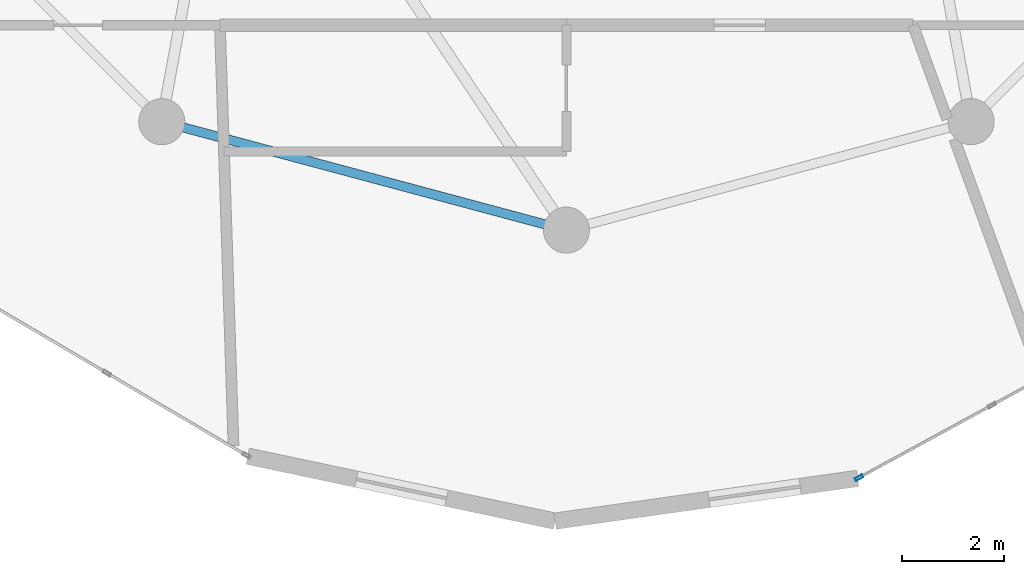
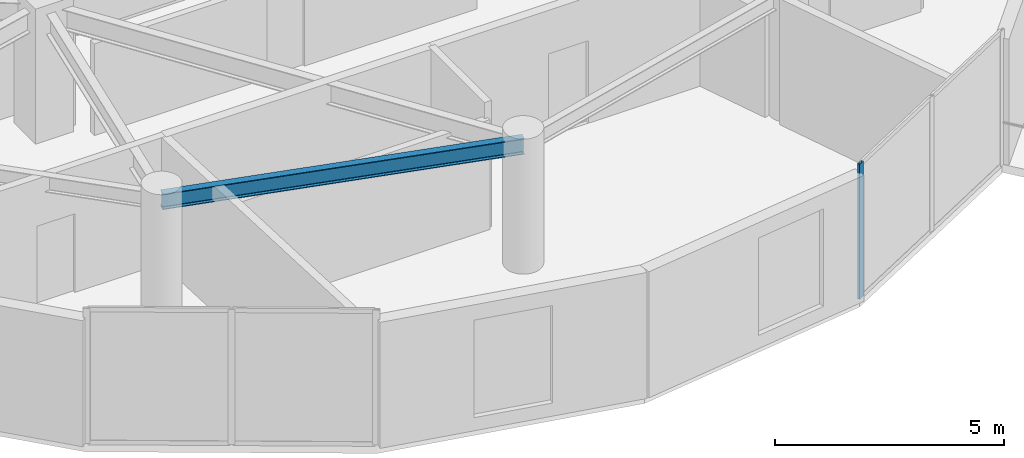
# One storey, part 4 of 21: 1 beam, 1 member, 1 element without a shape of its own.
"""IFC4 building model written with IfcOpenShell, lengths in metres."""

from ifc_helpers import new_model, si_unit, direction, frame, origin, origin_2d, place, context, subcontext, project, spatial, hollow_rectangle, i_section, extrude, source, transform, mapped, material, layer, layer_set, material_profile, profile_set, type_object, element, aggregate, save


model = new_model("IFC4")

# Units and contexts
model_context = context("Model", 3, precision=1e-05, world=origin(), true_north=direction((0.0, 1.0)))
body_context = subcontext(model_context, "Body", "Model", "MODEL_VIEW")
ifc_project = project(units=[si_unit("LENGTHUNIT", "METRE"), si_unit("AREAUNIT", "SQUARE_METRE"), si_unit("VOLUMEUNIT", "CUBIC_METRE"), si_unit("PLANEANGLEUNIT", "RADIAN"), si_unit("MASSUNIT", "GRAM", prefix="KILO")], contexts=[model_context])

# Site, building, storey
site_placement = place(None, origin())
site = spatial("IfcSite", under=ifc_project, at=site_placement, CompositionType="ELEMENT")
building_placement = place(site_placement, origin())
building = spatial("IfcBuilding", under=site, at=building_placement, Name="Solvirekh Grand Hotel", CompositionType="ELEMENT")
storey_placement = place(building_placement, frame((0.0, 0.0, 223.60009765625)))
storey = spatial("IfcBuildingStorey", under=building, at=storey_placement, Name="L58", CompositionType="ELEMENT", Elevation=223.60009765625)

# Beam
ifc_material_1 = material(Name="Steel S355", Category="steel")
ifc_material_profile_1 = material_profile(ifc_material_1, i_section(OverallWidth=0.180908203125, OverallDepth=0.4169921875, WebThickness=0.010009765625, FlangeThickness=0.01611328125, FilletRadius=0.011962890625, at=origin_2d()), Name="W410X85")
ifc_profile_set_1 = profile_set([ifc_material_profile_1], Name="Steel S355")
beam_type = type_object("IfcBeamType", Name="Spandrel_Ring_W410", PredefinedType="SPANDREL", material=ifc_profile_set_1)
beam_placement = place(storey_placement, frame((-7.89990234375, -13.68310546875, 3.15185546875), z_axis=(0.965920601923, -0.258838541915, 0.0), x_axis=(0.258838541915, 0.965920601923, 0.0)))
element("IfcBeam", 1, at=beam_placement, inside=storey, type_object=beam_type, Name="L58 perimeter spandrel beam 9", PredefinedType="SPANDREL", context=body_context, shape_type="SweptSolid", body=[
    extrude(i_section(OverallWidth=0.180908203125, OverallDepth=0.4169921875, WebThickness=0.010009765625, FlangeThickness=0.01611328125, FilletRadius=0.011962890625, at=origin_2d()), origin(), (0.0, 0.0, 1.0), 8.1787109375),
])

# Curtain wall, member
ifc_material_2 = material(Name="Anodized Bronze Aluminium 6063-T6", Category="aluminium")
ifc_layer = layer(ifc_material_2, 0.159912109375)
ifc_layer_set = layer_set([ifc_layer], Name="Anodized Bronze Aluminium 6063-T6")
curtain_wall_type = type_object("IfcCurtainWallType", Name="CW_Sys4_HighZoneFlushBronzeCW", PredefinedType="NOTDEFINED", material=ifc_layer_set)
curtain_wall_placement = place(storey_placement, origin())
curtain_wall = element("IfcCurtainWall", 2, at=curtain_wall_placement, inside=storey, type_object=curtain_wall_type, Name="L58 unitised bronze-glass curtain wall CW-L58-C01", PredefinedType="NOTDEFINED")
ifc_material_profile_2 = material_profile(ifc_material_2, hollow_rectangle(XDim=0.06005859375, YDim=0.159912109375, WallThickness=0.0048828125, at=origin_2d()), Name="ALU RHS 160X60X5")
ifc_profile_set_2 = profile_set([ifc_material_profile_2], Name="Anodized Bronze Aluminium 6063-T6")
member_type = type_object("IfcMemberType", Name="CWMullion_Sys4", PredefinedType="MULLION", material=ifc_profile_set_2)
shared_shape = source(origin(), body_context, "Body", "SweptSolid", [
    extrude(hollow_rectangle(XDim=0.06005859375, YDim=0.159912109375, WallThickness=0.0048828125, at=origin_2d()), origin(), (0.0, 0.0, 1.0), 3.599853515625),
])
member_placement = place(storey_placement, frame((5.71337890625, -20.633544921875, 0.0), z_axis=(0.0, 0.0, 1.0), x_axis=(-0.478640759614, 0.878010833211, 0.0)))
member = element("IfcMember", 3, at=member_placement, type_object=member_type, Name="U04 mullion 1", PredefinedType="MULLION", context=body_context, shape_type="MappedRepresentation", body=[
    mapped(shared_shape, transform((0.0, 0.0, 0.0), x_axis=(1.0, 0.0, 0.0), y_axis=(0.0, 1.0, 0.0), z_axis=(0.0, 0.0, 1.0), scale=1.0)),
])
aggregate(curtain_wall, [member])

save(model, "model.ifc")
